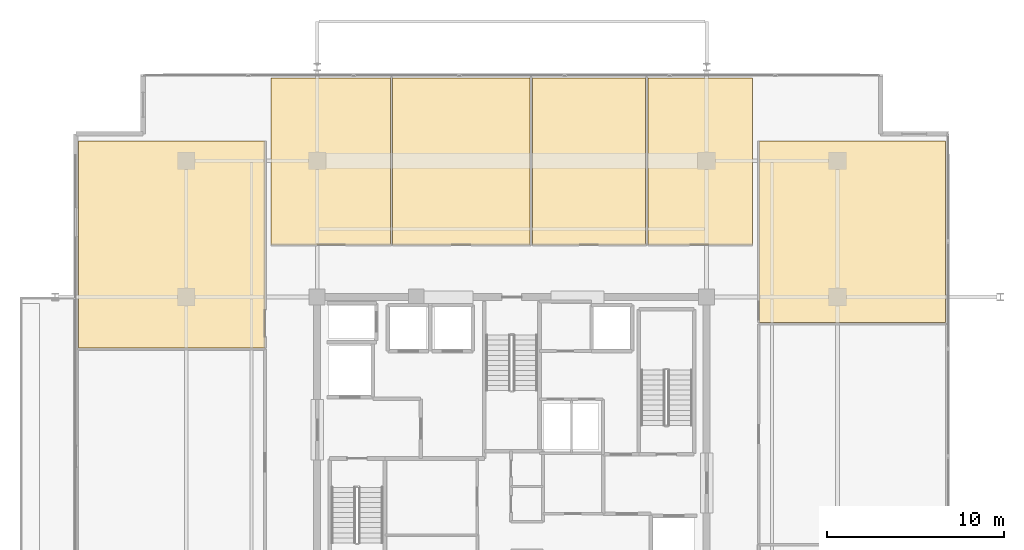
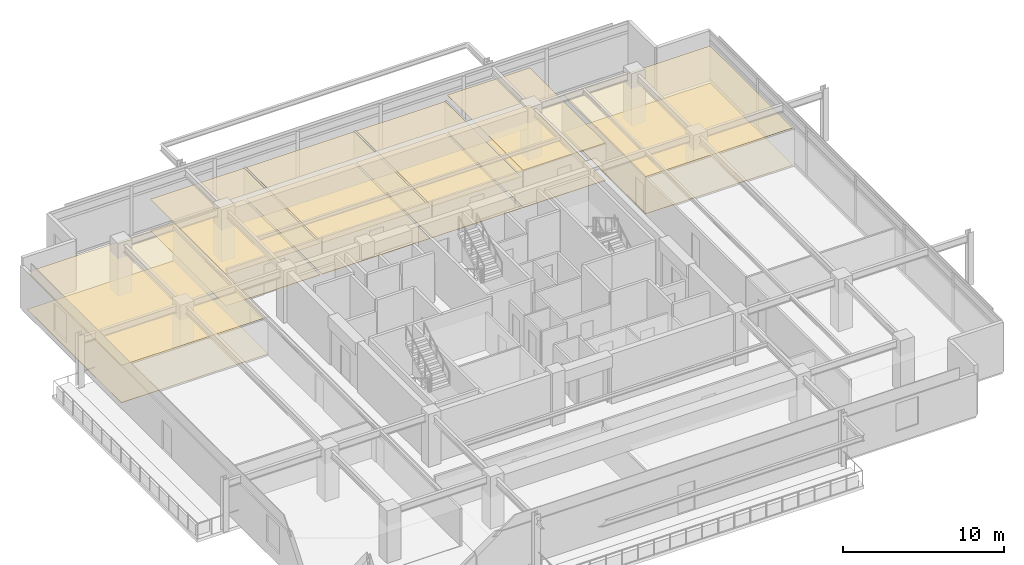
# One storey, part 21 of 21: 12 coverings.
"""IFC4 building model written with IfcOpenShell, lengths in metres."""

from ifc_helpers import new_model, si_unit, direction, frame, origin, place, context, subcontext, project, spatial, polyline, outline, extrude, material, layer, layer_set, type_object, element, save


model = new_model("IFC4")

# Units and contexts
model_context = context("Model", 3, precision=1e-05, world=origin(), true_north=direction((0.0, 1.0)))
body_context = subcontext(model_context, "Body", "Model", "MODEL_VIEW")
ifc_project = project(units=[si_unit("LENGTHUNIT", "METRE"), si_unit("AREAUNIT", "SQUARE_METRE"), si_unit("VOLUMEUNIT", "CUBIC_METRE"), si_unit("PLANEANGLEUNIT", "RADIAN"), si_unit("MASSUNIT", "GRAM", prefix="KILO")], contexts=[model_context])

# Site, building, storey
site_placement = place(None, origin())
site = spatial("IfcSite", under=ifc_project, at=site_placement, CompositionType="ELEMENT")
building_placement = place(site_placement, origin())
building = spatial("IfcBuilding", under=site, at=building_placement, Name="Kovane Verandah Tower", CompositionType="ELEMENT")
storey_placement = place(building_placement, frame((0.0, 0.0, 314.800048828125)))
storey = spatial("IfcBuildingStorey", under=building, at=storey_placement, Name="L73", CompositionType="ELEMENT", Elevation=314.800048828125)

# Coverings
ifc_material_1 = material(Name="Perforated Acoustic Mineral-Fibre Ceiling Tile", Category="gypsum")
ifc_layer_1 = layer(ifc_material_1, 0.02490234375)
ifc_layer_set_1 = layer_set([ifc_layer_1], Name="Perforated Acoustic Mineral-Fibre Ceiling Tile")
covering_type_1 = type_object("IfcCoveringType", Name="CV-CEIL-25", PredefinedType="CEILING", material=ifc_layer_set_1)
covering_1_placement = place(storey_placement, frame((0.0, 0.0, 2.389892578125)))
element("IfcCovering", 1, at=covering_1_placement, inside=storey, type_object=covering_type_1, Name="L73 Client Boardroom N1 Acoustic Ceiling", PredefinedType="CEILING", context=body_context, shape_type="SweptSolid", body=[
    extrude(outline(polyline([(26.39990234375, 39.449951171875), (33.1298828125, 39.449951171875), (33.1298828125, 48.8681640625), (26.39990234375, 48.8681640625), (26.39990234375, 39.449951171875)])), origin(), (0.0, 0.0, 1.0), 0.025146484375),
])
covering_2_placement = place(storey_placement, frame((0.0, 0.0, 2.389892578125)))
element("IfcCovering", 2, at=covering_2_placement, inside=storey, type_object=covering_type_1, Name="L73 Meeting Room N2 Acoustic Ceiling", PredefinedType="CEILING", context=body_context, shape_type="SweptSolid", body=[
    extrude(outline(polyline([(33.27001953125, 39.449951171875), (41.01806640625, 39.449951171875), (41.01806640625, 48.8681640625), (33.27001953125, 48.8681640625), (33.27001953125, 39.449951171875)])), origin(), (0.0, 0.0, 1.0), 0.025146484375),
])
covering_3_placement = place(storey_placement, frame((0.0, 0.0, 2.389892578125)))
element("IfcCovering", 3, at=covering_3_placement, inside=storey, type_object=covering_type_1, Name="L73 Focus Studio N3 Acoustic Ceiling", PredefinedType="CEILING", context=body_context, shape_type="SweptSolid", body=[
    extrude(outline(polyline([(41.157958984375, 39.449951171875), (47.5458984375, 39.449951171875), (47.5458984375, 48.8681640625), (41.157958984375, 48.8681640625), (41.157958984375, 39.449951171875)])), origin(), (0.0, 0.0, 1.0), 0.025146484375),
])
covering_4_placement = place(storey_placement, frame((0.0, 0.0, 2.824951171875)))
element("IfcCovering", 4, at=covering_4_placement, inside=storey, type_object=covering_type_1, Name="L73 Breakout Pantry N4 Acoustic Ceiling", PredefinedType="CEILING", context=body_context, shape_type="SweptSolid", body=[
    extrude(outline(polyline([(47.68603515625, 39.449951171875), (53.60009765625, 39.449951171875), (53.60009765625, 48.8681640625), (47.68603515625, 48.8681640625), (47.68603515625, 39.449951171875)])), origin(), (0.0, 0.0, 1.0), 0.02490234375),
])
covering_5_placement = place(storey_placement, frame((0.0, 0.0, 2.824951171875)))
element("IfcCovering", 5, at=covering_5_placement, inside=storey, type_object=covering_type_1, Name="L73 Client Boardroom W3 Acoustic Ceiling", PredefinedType="CEILING", context=body_context, shape_type="SweptSolid", body=[
    extrude(outline(polyline([(15.513671875, 33.628173828125), (26.050048828125, 33.628173828125), (26.050048828125, 45.318115234375), (15.513671875, 45.318115234375), (15.513671875, 33.628173828125)])), origin(), (0.0, 0.0, 1.0), 0.02490234375),
])
covering_6_placement = place(storey_placement, frame((0.0, 0.0, 2.824951171875)))
element("IfcCovering", 6, at=covering_6_placement, inside=storey, type_object=covering_type_1, Name="L73 Breakout Pantry E3 Acoustic Ceiling", PredefinedType="CEILING", context=body_context, shape_type="SweptSolid", body=[
    extrude(outline(polyline([(53.949951171875, 35.0537109375), (64.486328125, 35.0537109375), (64.486328125, 45.318115234375), (53.949951171875, 45.318115234375), (53.949951171875, 35.0537109375)])), origin(), (0.0, 0.0, 1.0), 0.02490234375),
])
ifc_material_2 = material(Name="Polished Terrazzo and Raised-Access Carpet Tile Finish", Category="concrete")
ifc_layer_2 = layer(ifc_material_2, 0.030029296875)
ifc_layer_set_2 = layer_set([ifc_layer_2], Name="Polished Terrazzo and Raised-Access Carpet Tile Finish")
covering_type_2 = type_object("IfcCoveringType", Name="CV-FLOR-30", PredefinedType="FLOORING", material=ifc_layer_set_2)
covering_7_placement = place(storey_placement, origin())
element("IfcCovering", 7, at=covering_7_placement, inside=storey, type_object=covering_type_2, Name="L73 Client Boardroom N1 Floor Finish", PredefinedType="FLOORING", context=body_context, shape_type="SweptSolid", body=[
    extrude(outline(polyline([(26.39990234375, 39.449951171875), (33.1298828125, 39.449951171875), (33.1298828125, 48.8681640625), (26.39990234375, 48.8681640625), (26.39990234375, 39.449951171875)])), origin(), (0.0, 0.0, 1.0), 0.030029296875),
])
covering_8_placement = place(storey_placement, origin())
element("IfcCovering", 8, at=covering_8_placement, inside=storey, type_object=covering_type_2, Name="L73 Meeting Room N2 Floor Finish", PredefinedType="FLOORING", context=body_context, shape_type="SweptSolid", body=[
    extrude(outline(polyline([(33.27001953125, 39.449951171875), (41.01806640625, 39.449951171875), (41.01806640625, 48.8681640625), (33.27001953125, 48.8681640625), (33.27001953125, 39.449951171875)])), origin(), (0.0, 0.0, 1.0), 0.030029296875),
])
covering_9_placement = place(storey_placement, origin())
element("IfcCovering", 9, at=covering_9_placement, inside=storey, type_object=covering_type_2, Name="L73 Focus Studio N3 Floor Finish", PredefinedType="FLOORING", context=body_context, shape_type="SweptSolid", body=[
    extrude(outline(polyline([(41.157958984375, 39.449951171875), (47.5458984375, 39.449951171875), (47.5458984375, 48.8681640625), (41.157958984375, 48.8681640625), (41.157958984375, 39.449951171875)])), origin(), (0.0, 0.0, 1.0), 0.030029296875),
])
covering_10_placement = place(storey_placement, origin())
element("IfcCovering", 10, at=covering_10_placement, inside=storey, type_object=covering_type_2, Name="L73 Breakout Pantry N4 Floor Finish", PredefinedType="FLOORING", context=body_context, shape_type="SweptSolid", body=[
    extrude(outline(polyline([(47.68603515625, 39.449951171875), (53.60009765625, 39.449951171875), (53.60009765625, 48.8681640625), (47.68603515625, 48.8681640625), (47.68603515625, 39.449951171875)])), origin(), (0.0, 0.0, 1.0), 0.030029296875),
])
covering_11_placement = place(storey_placement, origin())
element("IfcCovering", 11, at=covering_11_placement, inside=storey, type_object=covering_type_2, Name="L73 Client Boardroom W3 Floor Finish", PredefinedType="FLOORING", context=body_context, shape_type="SweptSolid", body=[
    extrude(outline(polyline([(15.513671875, 33.628173828125), (26.050048828125, 33.628173828125), (26.050048828125, 45.318115234375), (15.513671875, 45.318115234375), (15.513671875, 33.628173828125)])), origin(), (0.0, 0.0, 1.0), 0.030029296875),
])
covering_12_placement = place(storey_placement, origin())
element("IfcCovering", 12, at=covering_12_placement, inside=storey, type_object=covering_type_2, Name="L73 Breakout Pantry E3 Floor Finish", PredefinedType="FLOORING", context=body_context, shape_type="SweptSolid", body=[
    extrude(outline(polyline([(53.949951171875, 35.0537109375), (64.486328125, 35.0537109375), (64.486328125, 45.318115234375), (53.949951171875, 45.318115234375), (53.949951171875, 35.0537109375)])), origin(), (0.0, 0.0, 1.0), 0.030029296875),
])

save(model, "model.ifc")
